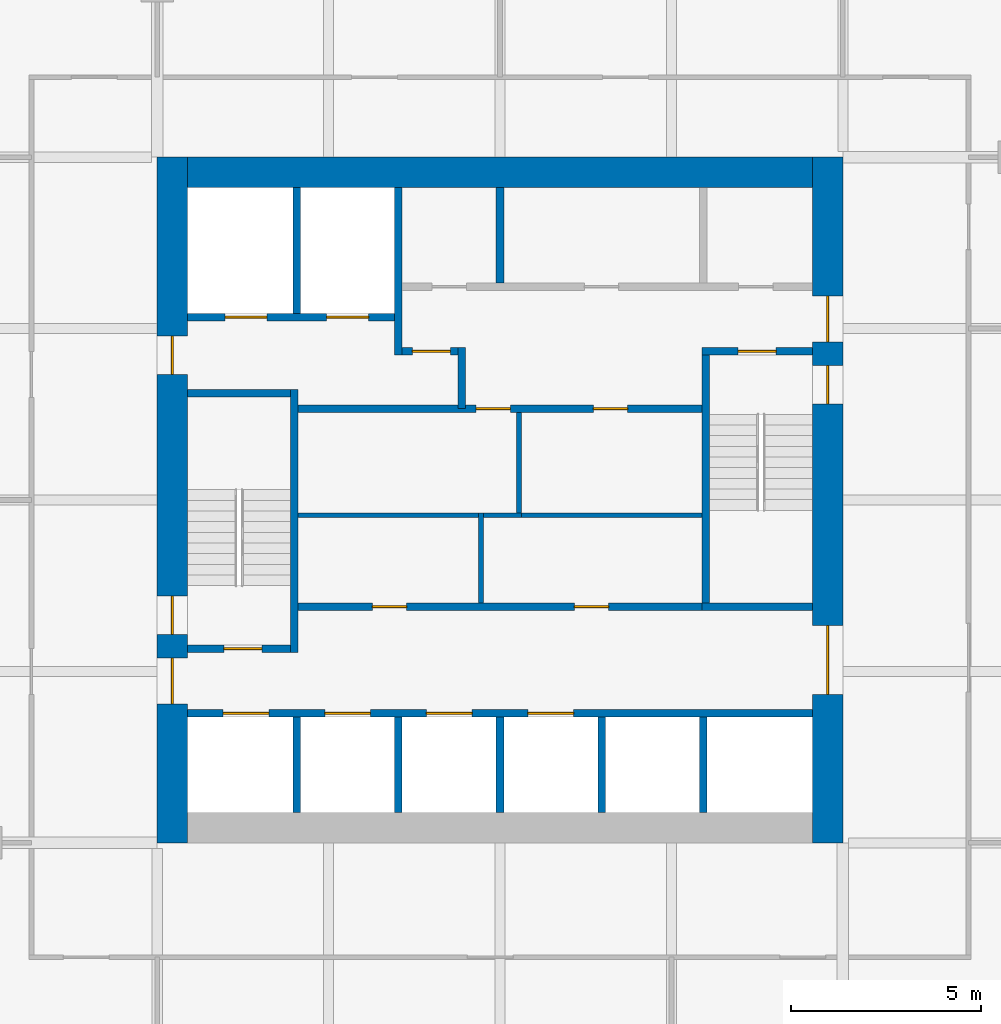
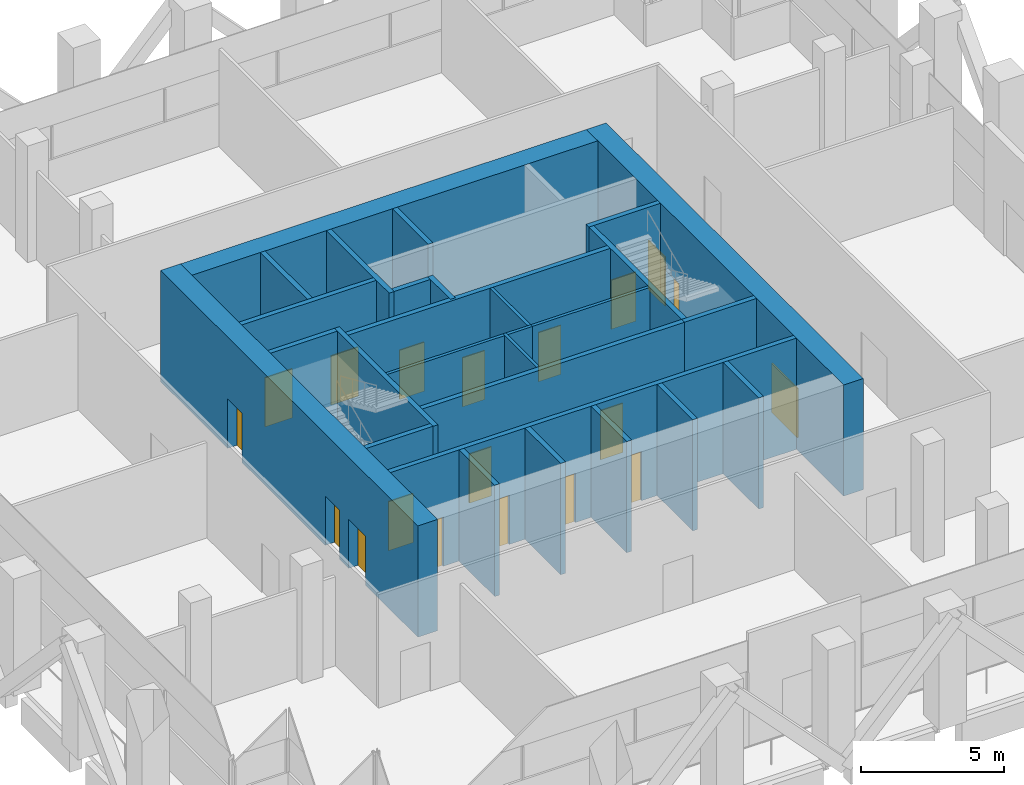
# One storey, part 37 of 44: 28 walls, 19 doors, 19 openings.
"""IFC4 building model written with IfcOpenShell, lengths in metres."""

from ifc_helpers import new_model, si_unit, direction, frame, frame_2d, origin, place, context, subcontext, project, spatial, rectangle, extrude, material, layer, layer_set, type_object, element, fill, save


model = new_model("IFC4")

# Units and contexts
model_context = context("Model", 3, precision=1e-05, world=origin(), true_north=direction((0.0, 1.0)))
body_context = subcontext(model_context, "Body", "Model", "MODEL_VIEW")
ifc_project = project(units=[si_unit("LENGTHUNIT", "METRE"), si_unit("AREAUNIT", "SQUARE_METRE"), si_unit("VOLUMEUNIT", "CUBIC_METRE"), si_unit("PLANEANGLEUNIT", "RADIAN"), si_unit("MASSUNIT", "GRAM", prefix="KILO")], contexts=[model_context])

# Site, building, storey
site_placement = place(None, origin())
site = spatial("IfcSite", under=ifc_project, at=site_placement, CompositionType="ELEMENT")
building_placement = place(site_placement, origin())
building = spatial("IfcBuilding", under=site, at=building_placement, Name="Altepetl Exchange Towers", CompositionType="ELEMENT")
storey_placement = place(building_placement, frame((0.0, 0.0, 87.0)))
storey = spatial("IfcBuildingStorey", under=building, at=storey_placement, Name="L21 Refuge", CompositionType="ELEMENT", Elevation=87.0)

# Wall, openings, doors
ifc_material_1 = material(Name="Concrete C70/85", Category="concrete")
ifc_layer_1 = layer(ifc_material_1, 0.800048828125)
ifc_layer_set_1 = layer_set([ifc_layer_1], Name="Concrete C70/85")
wall_type_1 = type_object("IfcWallType", Name="Core wall 800 reinforced concrete", PredefinedType="SHEAR", material=ifc_layer_set_1)
wall_1_placement = place(storey_placement, frame((58.10009765625, 40.5, 0.0), z_axis=(0.0, 0.0, 1.0), x_axis=(0.0, 1.0, 0.0)))
wall_1 = element("IfcWall", 1, at=wall_1_placement, inside=storey, type_object=wall_type_1, Name="wall:A:L21:K-coreE", PredefinedType="SHEAR", context=body_context, shape_type="SweptSolid", body=[
    extrude(rectangle(XDim=18.0, YDim=0.800048828125, at=frame_2d((9.0, 0.0))), origin(), (0.0, 0.0, 1.0), 4.75),
])
opening_1_placement = place(wall_1_placement, frame((13.14990234375, 0.0, 0.0)))
opening_1 = element("IfcOpeningElement", 2, at=opening_1_placement, cuts=wall_1, Name="Opening L21.A60", PredefinedType="OPENING", context=body_context, shape_type="SweptSolid", body=[
    extrude(rectangle(XDim=1.199951171875, YDim=2.10009765625, at=frame_2d((0.60009765625, 1.050048828125))), frame((0.0, 0.41015625, 0.0), z_axis=(0.0, -1.0, 0.0), x_axis=(1.0, 0.0, 0.0)), (0.0, 0.0, 1.0), 0.820068359375),
])
opening_2_placement = place(wall_1_placement, frame((3.89990234375, 0.0, 0.0)))
opening_2 = element("IfcOpeningElement", 3, at=opening_2_placement, cuts=wall_1, Name="Opening L21.A61", PredefinedType="OPENING", context=body_context, shape_type="SweptSolid", body=[
    extrude(rectangle(XDim=1.800048828125, YDim=2.10009765625, at=frame_2d((0.89990234375, 1.050048828125))), frame((0.0, 0.41015625, 0.0), z_axis=(0.0, -1.0, 0.0), x_axis=(1.0, 0.0, 0.0)), (0.0, 0.0, 1.0), 0.820068359375),
])
opening_3_placement = place(wall_1_placement, frame((11.52490234375, 0.0, 0.0)))
opening_3 = element("IfcOpeningElement", 4, at=opening_3_placement, cuts=wall_1, Name="Opening L21.A66", PredefinedType="OPENING", context=body_context, shape_type="SweptSolid", body=[
    extrude(rectangle(XDim=1.0, YDim=2.10009765625, at=frame_2d((0.5, 1.050048828125))), frame((0.0, 0.41015625, 0.0), z_axis=(0.0, -1.0, 0.0), x_axis=(1.0, 0.0, 0.0)), (0.0, 0.0, 1.0), 0.820068359375),
])
ifc_material_2 = material(Name="Steel and timber fire door", Category="steel")
door_type_1 = type_object("IfcDoorType", Name="Fire door 1000 x 2100 stair and lobby", OperationType="SINGLE_SWING_LEFT", PredefinedType="DOOR", material=ifc_material_2)
door_1_placement = place(opening_3_placement, origin())
door_1 = element("IfcDoor", 5, at=door_1_placement, inside=storey, type_object=door_type_1, Name="door:A:L21:K-dS2x", OperationType="SINGLE_SWING_RIGHT", OverallHeight=2.10009765625, OverallWidth=1.0, PredefinedType="DOOR", context=body_context, shape_type="SweptSolid", body=[
    extrude(rectangle(XDim=1.0, YDim=2.10009765625, at=frame_2d((0.5, 1.050048828125))), frame((0.0, 0.02490234375, 0.0), z_axis=(0.0, -1.0, 0.0), x_axis=(1.0, 0.0, 0.0)), (0.0, 0.0, 1.0), 0.050048828125),
])
fill(opening_3, door_1)
door_type_2 = type_object("IfcDoorType", Name="Fire door 1200 x 2100 lobby entry", OperationType="SINGLE_SWING_LEFT", PredefinedType="DOOR", material=ifc_material_2)
door_2_placement = place(opening_1_placement, origin())
door_2 = element("IfcDoor", 6, at=door_2_placement, inside=storey, type_object=door_type_2, Name="door:A:L21:K-dLNE", OperationType="SINGLE_SWING_RIGHT", OverallHeight=2.10009765625, OverallWidth=1.199951171875, PredefinedType="DOOR", context=body_context, shape_type="SweptSolid", body=[
    extrude(rectangle(XDim=1.199951171875, YDim=2.10009765625, at=frame_2d((0.60009765625, 1.050048828125))), frame((0.0, 0.02490234375, 0.0), z_axis=(0.0, -1.0, 0.0), x_axis=(1.0, 0.0, 0.0)), (0.0, 0.0, 1.0), 0.050048828125),
])
fill(opening_1, door_2)
door_type_3 = type_object("IfcDoorType", Name="Fire door 1800 x 2100 lobby entry", OperationType="DOUBLE_DOOR_SINGLE_SWING", PredefinedType="DOOR", material=ifc_material_2)
door_3_placement = place(opening_2_placement, origin())
door_3 = element("IfcDoor", 7, at=door_3_placement, inside=storey, type_object=door_type_3, Name="door:A:L21:K-dLSE", OperationType="DOUBLE_DOOR_SINGLE_SWING", OverallHeight=2.10009765625, OverallWidth=1.800048828125, PredefinedType="DOOR", context=body_context, shape_type="SweptSolid", body=[
    extrude(rectangle(XDim=1.800048828125, YDim=2.10009765625, at=frame_2d((0.89990234375, 1.050048828125))), frame((0.0, 0.02490234375, 0.0), z_axis=(0.0, -1.0, 0.0), x_axis=(1.0, 0.0, 0.0)), (0.0, 0.0, 1.0), 0.050048828125),
])
fill(opening_2, door_3)

# Wall
wall_2_placement = place(storey_placement, frame((41.300048828125, 58.10009765625, 0.0)))
element("IfcWall", 8, at=wall_2_placement, inside=storey, type_object=wall_type_1, Name="wall:A:L21:K-coreN", PredefinedType="SHEAR", context=body_context, shape_type="SweptSolid", body=[
    extrude(rectangle(XDim=16.39990234375, YDim=0.800048828125, at=frame_2d((8.199951171875, 0.0))), origin(), (0.0, 0.0, 1.0), 4.75),
])

# Wall, openings, doors
wall_3_placement = place(storey_placement, frame((40.89990234375, 40.5, 0.0), z_axis=(0.0, 0.0, 1.0), x_axis=(0.0, 1.0, 0.0)))
wall_3 = element("IfcWall", 9, at=wall_3_placement, inside=storey, type_object=wall_type_1, Name="wall:A:L21:K-coreW", PredefinedType="SHEAR", context=body_context, shape_type="SweptSolid", body=[
    extrude(rectangle(XDim=18.0, YDim=0.800048828125, at=frame_2d((9.0, 0.0))), origin(), (0.0, 0.0, 1.0), 4.75),
])
opening_4_placement = place(wall_3_placement, frame((3.64990234375, 0.0, 0.0)))
opening_4 = element("IfcOpeningElement", 10, at=opening_4_placement, cuts=wall_3, Name="Opening L21.A62", PredefinedType="OPENING", context=body_context, shape_type="SweptSolid", body=[
    extrude(rectangle(XDim=1.199951171875, YDim=2.10009765625, at=frame_2d((0.60009765625, 1.050048828125))), frame((0.0, 0.41015625, 0.0), z_axis=(0.0, -1.0, 0.0), x_axis=(1.0, 0.0, 0.0)), (0.0, 0.0, 1.0), 0.820068359375),
])
opening_5_placement = place(wall_3_placement, frame((5.47509765625, 0.0, 0.0)))
opening_5 = element("IfcOpeningElement", 11, at=opening_5_placement, cuts=wall_3, Name="Opening L21.A64", PredefinedType="OPENING", context=body_context, shape_type="SweptSolid", body=[
    extrude(rectangle(XDim=1.0, YDim=2.10009765625, at=frame_2d((0.5, 1.050048828125))), frame((0.0, 0.41015625, 0.0), z_axis=(0.0, -1.0, 0.0), x_axis=(1.0, 0.0, 0.0)), (0.0, 0.0, 1.0), 0.820068359375),
])
opening_6_placement = place(wall_3_placement, frame((12.300048828125, 0.0, 0.0)))
opening_6 = element("IfcOpeningElement", 12, at=opening_6_placement, cuts=wall_3, Name="Opening L21.A68", PredefinedType="OPENING", context=body_context, shape_type="SweptSolid", body=[
    extrude(rectangle(XDim=1.0, YDim=2.10009765625, at=frame_2d((0.5, 1.050048828125))), frame((0.0, 0.41015625, 0.0), z_axis=(0.0, -1.0, 0.0), x_axis=(1.0, 0.0, 0.0)), (0.0, 0.0, 1.0), 0.820068359375),
])
door_4_placement = place(opening_5_placement, frame((1.0, 0.0, 0.0), x_axis=(-1.0, 0.0, 0.0)))
door_4 = element("IfcDoor", 13, at=door_4_placement, inside=storey, type_object=door_type_1, Name="door:A:L21:K-dS1x", OperationType="SINGLE_SWING_RIGHT", OverallHeight=2.10009765625, OverallWidth=1.0, PredefinedType="DOOR", context=body_context, shape_type="SweptSolid", body=[
    extrude(rectangle(XDim=1.0, YDim=2.10009765625, at=frame_2d((0.5, 1.050048828125))), frame((0.0, 0.02490234375, 0.0), z_axis=(0.0, -1.0, 0.0), x_axis=(1.0, 0.0, 0.0)), (0.0, 0.0, 1.0), 0.050048828125),
])
fill(opening_5, door_4)
door_5_placement = place(opening_6_placement, frame((1.0, 0.0, 0.0), x_axis=(-1.0, 0.0, 0.0)))
door_5 = element("IfcDoor", 14, at=door_5_placement, inside=storey, type_object=door_type_1, Name="door:A:L21:K-dffW", OperationType="SINGLE_SWING_LEFT", OverallHeight=2.10009765625, OverallWidth=1.0, PredefinedType="DOOR", context=body_context, shape_type="SweptSolid", body=[
    extrude(rectangle(XDim=1.0, YDim=2.10009765625, at=frame_2d((0.5, 1.050048828125))), frame((0.0, 0.02490234375, 0.0), z_axis=(0.0, -1.0, 0.0), x_axis=(1.0, 0.0, 0.0)), (0.0, 0.0, 1.0), 0.050048828125),
])
fill(opening_6, door_5)
door_6_placement = place(opening_4_placement, frame((1.199951171875, 0.0, 0.0), x_axis=(-1.0, 0.0, 0.0)))
door_6 = element("IfcDoor", 15, at=door_6_placement, inside=storey, type_object=door_type_2, Name="door:A:L21:K-dLSW", OperationType="SINGLE_SWING_LEFT", OverallHeight=2.10009765625, OverallWidth=1.199951171875, PredefinedType="DOOR", context=body_context, shape_type="SweptSolid", body=[
    extrude(rectangle(XDim=1.199951171875, YDim=2.10009765625, at=frame_2d((0.60009765625, 1.050048828125))), frame((0.0, 0.02490234375, 0.0), z_axis=(0.0, -1.0, 0.0), x_axis=(1.0, 0.0, 0.0)), (0.0, 0.0, 1.0), 0.050048828125),
])
fill(opening_4, door_6)

# Wall
ifc_material_3 = material(Name="Concrete blockwork", Category="masonry")
ifc_layer_2 = layer(ifc_material_3, 0.199951171875)
ifc_layer_set_2 = layer_set([ifc_layer_2], Name="Concrete blockwork")
wall_type_2 = type_object("IfcWallType", Name="Lobby wall 200 blockwork", PredefinedType="PARTITIONING", material=ifc_layer_set_2)
wall_4_placement = place(storey_placement, frame((48.5, 51.89990234375, 0.0), z_axis=(0.0, 0.0, 1.0), x_axis=(0.0, 1.0, 0.0)))
element("IfcWall", 16, at=wall_4_placement, inside=storey, type_object=wall_type_2, Name="wall:A:L21:K-ffE", PredefinedType="PARTITIONING", context=body_context, shape_type="SweptSolid", body=[
    extrude(rectangle(XDim=1.60009765625, YDim=0.199951171875, at=frame_2d((0.800048828125, 0.0))), origin(), (0.0, 0.0, 1.0), 4.75),
])

# Wall, opening, door
wall_5_placement = place(storey_placement, frame((46.933349609375, 53.39990234375, 0.0)))
wall_5 = element("IfcWall", 17, at=wall_5_placement, inside=storey, type_object=wall_type_2, Name="wall:A:L21:K-ffN", PredefinedType="PARTITIONING", context=body_context, shape_type="SweptSolid", body=[
    extrude(rectangle(XDim=1.466552734375, YDim=0.199951171875, at=frame_2d((0.7333984375, 0.0))), origin(), (0.0, 0.0, 1.0), 4.75),
])
opening_7_placement = place(wall_5_placement, frame((0.2666015625, 0.0, 0.0)))
opening_7 = element("IfcOpeningElement", 18, at=opening_7_placement, cuts=wall_5, Name="Opening L21.A67", PredefinedType="OPENING", context=body_context, shape_type="SweptSolid", body=[
    extrude(rectangle(XDim=1.0, YDim=2.10009765625, at=frame_2d((0.5, 1.050048828125))), frame((0.0, 0.10986328125, 0.0), z_axis=(0.0, -1.0, 0.0), x_axis=(1.0, 0.0, 0.0)), (0.0, 0.0, 1.0), 0.219970703125),
])
door_7_placement = place(opening_7_placement, frame((1.0, 0.0, 0.0), x_axis=(-1.0, 0.0, 0.0)))
door_7 = element("IfcDoor", 19, at=door_7_placement, inside=storey, type_object=door_type_1, Name="door:A:L21:K-dffN", OperationType="SINGLE_SWING_RIGHT", OverallHeight=2.10009765625, OverallWidth=1.0, PredefinedType="DOOR", context=body_context, shape_type="SweptSolid", body=[
    extrude(rectangle(XDim=1.0, YDim=2.10009765625, at=frame_2d((0.5, 1.050048828125))), frame((0.0, 0.02490234375, 0.0), z_axis=(0.0, -1.0, 0.0), x_axis=(1.0, 0.0, 0.0)), (0.0, 0.0, 1.0), 0.050048828125),
])
fill(opening_7, door_7)

# Wall, openings, doors
wall_6_placement = place(storey_placement, frame((44.199951171875, 51.89990234375, 0.0)))
wall_6 = element("IfcWall", 20, at=wall_6_placement, inside=storey, type_object=wall_type_2, Name="wall:A:L21:K-zoneN", PredefinedType="PARTITIONING", context=body_context, shape_type="SweptSolid", body=[
    extrude(rectangle(XDim=10.60009765625, YDim=0.199951171875, at=frame_2d((5.300048828125, 0.0))), origin(), (0.0, 0.0, 1.0), 4.75),
])
opening_8_placement = place(wall_6_placement, frame((4.675048828125, 0.0, 0.0)))
opening_8 = element("IfcOpeningElement", 21, at=opening_8_placement, cuts=wall_6, Name="Opening L21.A74", PredefinedType="OPENING", context=body_context, shape_type="SweptSolid", body=[
    extrude(rectangle(XDim=0.89990234375, YDim=2.10009765625, at=frame_2d((0.449951171875, 1.050048828125))), frame((0.0, 0.10986328125, 0.0), z_axis=(0.0, -1.0, 0.0), x_axis=(1.0, 0.0, 0.0)), (0.0, 0.0, 1.0), 0.219970703125),
])
opening_9_placement = place(wall_6_placement, frame((7.75, 0.0, 0.0)))
opening_9 = element("IfcOpeningElement", 22, at=opening_9_placement, cuts=wall_6, Name="Opening L21.A75", PredefinedType="OPENING", context=body_context, shape_type="SweptSolid", body=[
    extrude(rectangle(XDim=0.89990234375, YDim=2.10009765625, at=frame_2d((0.449951171875, 1.050048828125))), frame((0.0, 0.10986328125, 0.0), z_axis=(0.0, -1.0, 0.0), x_axis=(1.0, 0.0, 0.0)), (0.0, 0.0, 1.0), 0.219970703125),
])
door_type_4 = type_object("IfcDoorType", Name="Fire door 900 x 2100 service room", OperationType="SINGLE_SWING_LEFT", PredefinedType="DOOR", material=ifc_material_2)
door_8_placement = place(opening_8_placement, frame((0.89990234375, 0.0, 0.0), x_axis=(-1.0, 0.0, 0.0)))
door_8 = element("IfcDoor", 23, at=door_8_placement, inside=storey, type_object=door_type_4, Name="door:A:L21:K-dz3", OperationType="SINGLE_SWING_LEFT", OverallHeight=2.10009765625, OverallWidth=0.89990234375, PredefinedType="DOOR", context=body_context, shape_type="SweptSolid", body=[
    extrude(rectangle(XDim=0.89990234375, YDim=2.10009765625, at=frame_2d((0.449951171875, 1.050048828125))), frame((0.0, 0.02490234375, 0.0), z_axis=(0.0, -1.0, 0.0), x_axis=(1.0, 0.0, 0.0)), (0.0, 0.0, 1.0), 0.050048828125),
])
fill(opening_8, door_8)
door_9_placement = place(opening_9_placement, frame((0.89990234375, 0.0, 0.0), x_axis=(-1.0, 0.0, 0.0)))
door_9 = element("IfcDoor", 24, at=door_9_placement, inside=storey, type_object=door_type_4, Name="door:A:L21:K-dz4", OperationType="SINGLE_SWING_LEFT", OverallHeight=2.10009765625, OverallWidth=0.89990234375, PredefinedType="DOOR", context=body_context, shape_type="SweptSolid", body=[
    extrude(rectangle(XDim=0.89990234375, YDim=2.10009765625, at=frame_2d((0.449951171875, 1.050048828125))), frame((0.0, 0.02490234375, 0.0), z_axis=(0.0, -1.0, 0.0), x_axis=(1.0, 0.0, 0.0)), (0.0, 0.0, 1.0), 0.050048828125),
])
fill(opening_9, door_9)

wall_7_placement = place(storey_placement, frame((44.199951171875, 46.699951171875, 0.0)))
wall_7 = element("IfcWall", 25, at=wall_7_placement, inside=storey, type_object=wall_type_2, Name="wall:A:L21:K-zoneS", PredefinedType="PARTITIONING", context=body_context, shape_type="SweptSolid", body=[
    extrude(rectangle(XDim=10.60009765625, YDim=0.199951171875, at=frame_2d((5.300048828125, 0.0))), origin(), (0.0, 0.0, 1.0), 4.75),
])
opening_10_placement = place(wall_7_placement, frame((1.949951171875, 0.0, 0.0)))
opening_10 = element("IfcOpeningElement", 26, at=opening_10_placement, cuts=wall_7, Name="Opening L21.A72", PredefinedType="OPENING", context=body_context, shape_type="SweptSolid", body=[
    extrude(rectangle(XDim=0.89990234375, YDim=2.10009765625, at=frame_2d((0.449951171875, 1.050048828125))), frame((0.0, 0.10986328125, 0.0), z_axis=(0.0, -1.0, 0.0), x_axis=(1.0, 0.0, 0.0)), (0.0, 0.0, 1.0), 0.219970703125),
])
opening_11_placement = place(wall_7_placement, frame((7.25, 0.0, 0.0)))
opening_11 = element("IfcOpeningElement", 27, at=opening_11_placement, cuts=wall_7, Name="Opening L21.A73", PredefinedType="OPENING", context=body_context, shape_type="SweptSolid", body=[
    extrude(rectangle(XDim=0.89990234375, YDim=2.10009765625, at=frame_2d((0.449951171875, 1.050048828125))), frame((0.0, 0.10986328125, 0.0), z_axis=(0.0, -1.0, 0.0), x_axis=(1.0, 0.0, 0.0)), (0.0, 0.0, 1.0), 0.219970703125),
])
door_10_placement = place(opening_10_placement, origin())
door_10 = element("IfcDoor", 28, at=door_10_placement, inside=storey, type_object=door_type_4, Name="door:A:L21:K-dz1", OperationType="SINGLE_SWING_LEFT", OverallHeight=2.10009765625, OverallWidth=0.89990234375, PredefinedType="DOOR", context=body_context, shape_type="SweptSolid", body=[
    extrude(rectangle(XDim=0.89990234375, YDim=2.10009765625, at=frame_2d((0.449951171875, 1.050048828125))), frame((0.0, 0.02490234375, 0.0), z_axis=(0.0, -1.0, 0.0), x_axis=(1.0, 0.0, 0.0)), (0.0, 0.0, 1.0), 0.050048828125),
])
fill(opening_10, door_10)
door_11_placement = place(opening_11_placement, origin())
door_11 = element("IfcDoor", 29, at=door_11_placement, inside=storey, type_object=door_type_4, Name="door:A:L21:K-dz2", OperationType="SINGLE_SWING_RIGHT", OverallHeight=2.10009765625, OverallWidth=0.89990234375, PredefinedType="DOOR", context=body_context, shape_type="SweptSolid", body=[
    extrude(rectangle(XDim=0.89990234375, YDim=2.10009765625, at=frame_2d((0.449951171875, 1.050048828125))), frame((0.0, 0.02490234375, 0.0), z_axis=(0.0, -1.0, 0.0), x_axis=(1.0, 0.0, 0.0)), (0.0, 0.0, 1.0), 0.050048828125),
])
fill(opening_11, door_11)

# Walls
ifc_material_4 = material(Name="Gypsum board on steel studs", Category="steel")
ifc_layer_3 = layer(ifc_material_4, 0.125)
ifc_layer_set_3 = layer_set([ifc_layer_3], Name="Gypsum board on steel studs")
wall_type_3 = type_object("IfcWallType", Name="Partition 125 gypsum board on steel studs", PredefinedType="PARTITIONING", material=ifc_layer_set_3)
wall_8_placement = place(storey_placement, frame((49.0, 46.800048828125, 0.0), z_axis=(0.0, 0.0, 1.0), x_axis=(0.0, 1.0, 0.0)))
element("IfcWall", 30, at=wall_8_placement, inside=storey, type_object=wall_type_3, Name="wall:A:L21:K-zp1", PredefinedType="PARTITIONING", context=body_context, shape_type="SweptSolid", body=[
    extrude(rectangle(XDim=2.362548828125, YDim=0.125, at=frame_2d((1.18115234375, 0.0))), origin(), (0.0, 0.0, 1.0), 4.75),
])
wall_9_placement = place(storey_placement, frame((49.0, 49.10009765625, 0.0), z_axis=(0.0, 0.0, 1.0), x_axis=(-1.0, 0.0, 0.0)))
element("IfcWall", 31, at=wall_9_placement, inside=storey, type_object=wall_type_3, Name="wall:A:L21:K-zp2", PredefinedType="PARTITIONING", context=body_context, shape_type="SweptSolid", body=[
    extrude(rectangle(XDim=4.800048828125, YDim=0.125, at=frame_2d((2.39990234375, 0.0))), origin(), (0.0, 0.0, 1.0), 4.75),
])
wall_10_placement = place(storey_placement, frame((50.0625, 49.10009765625, 0.0), z_axis=(0.0, 0.0, 1.0), x_axis=(-1.0, 0.0, 0.0)))
element("IfcWall", 32, at=wall_10_placement, inside=storey, type_object=wall_type_3, Name="wall:A:L21:K-zp3", PredefinedType="PARTITIONING", context=body_context, shape_type="SweptSolid", body=[
    extrude(rectangle(XDim=1.0, YDim=0.125, at=frame_2d((0.5, 0.0))), origin(), (0.0, 0.0, 1.0), 4.75),
])
wall_11_placement = place(storey_placement, frame((54.800048828125, 49.10009765625, 0.0), z_axis=(0.0, 0.0, 1.0), x_axis=(-1.0, 0.0, 0.0)))
element("IfcWall", 33, at=wall_11_placement, inside=storey, type_object=wall_type_3, Name="wall:A:L21:K-zp4", PredefinedType="PARTITIONING", context=body_context, shape_type="SweptSolid", body=[
    extrude(rectangle(XDim=4.800048828125, YDim=0.125, at=frame_2d((2.39990234375, 0.0))), origin(), (0.0, 0.0, 1.0), 4.75),
])
wall_12_placement = place(storey_placement, frame((50.0, 49.16259765625, 0.0), z_axis=(0.0, 0.0, 1.0), x_axis=(0.0, 1.0, 0.0)))
element("IfcWall", 34, at=wall_12_placement, inside=storey, type_object=wall_type_3, Name="wall:A:L21:K-zp5", PredefinedType="PARTITIONING", context=body_context, shape_type="SweptSolid", body=[
    extrude(rectangle(XDim=2.637451171875, YDim=0.125, at=frame_2d((1.31884765625, 0.0))), origin(), (0.0, 0.0, 1.0), 4.75),
])
ifc_material_5 = material(Name="Concrete C40/50", Category="concrete")
ifc_layer_4 = layer(ifc_material_5, 0.199951171875)
ifc_layer_set_4 = layer_set([ifc_layer_4], Name="Concrete C40/50")
wall_type_4 = type_object("IfcWallType", Name="Shaft wall 200 reinforced concrete", PredefinedType="SHEAR", material=ifc_layer_set_4)
wall_13_placement = place(storey_placement, frame((44.166748046875, 57.699951171875, 0.0), z_axis=(0.0, 0.0, 1.0), x_axis=(0.0, -1.0, 0.0)))
element("IfcWall", 35, at=wall_13_placement, inside=storey, type_object=wall_type_4, Name="wall:A:L21:K-divN1", PredefinedType="SHEAR", context=body_context, shape_type="SweptSolid", body=[
    extrude(rectangle(XDim=3.300048828125, YDim=0.199951171875, at=frame_2d((1.64990234375, 0.0))), origin(), (0.0, 0.0, 1.0), 4.75),
])
wall_14_placement = place(storey_placement, frame((46.833251953125, 57.699951171875, 0.0), z_axis=(0.0, 0.0, 1.0), x_axis=(0.0, -1.0, 0.0)))
element("IfcWall", 36, at=wall_14_placement, inside=storey, type_object=wall_type_4, Name="wall:A:L21:K-divN2", PredefinedType="SHEAR", context=body_context, shape_type="SweptSolid", body=[
    extrude(rectangle(XDim=4.39990234375, YDim=0.199951171875, at=frame_2d((2.199951171875, 0.0))), origin(), (0.0, 0.0, 1.0), 4.75),
])
for number, where, z_axis, x_axis, name in (
    (37, (49.5, 57.699951171875, 0.0), (0.0, 0.0, 1.0), (0.0, -1.0, 0.0), "wall:A:L21:K-divN3"),
    (38, (44.166748046875, 41.300048828125, 0.0), (0.0, 0.0, 1.0), (0.0, 1.0, 0.0), "wall:A:L21:K-divS1"),
    (39, (46.833251953125, 41.300048828125, 0.0), (0.0, 0.0, 1.0), (0.0, 1.0, 0.0), "wall:A:L21:K-divS2"),
    (40, (49.5, 41.300048828125, 0.0), (0.0, 0.0, 1.0), (0.0, 1.0, 0.0), "wall:A:L21:K-divS3"),
    (41, (52.166748046875, 41.300048828125, 0.0), (0.0, 0.0, 1.0), (0.0, 1.0, 0.0), "wall:A:L21:K-divS4"),
    (42, (54.833251953125, 41.300048828125, 0.0), (0.0, 0.0, 1.0), (0.0, 1.0, 0.0), "wall:A:L21:K-divS5"),
):
    element("IfcWall", number, at=place(storey_placement, frame(where, z_axis=z_axis, x_axis=x_axis)), inside=storey, type_object=wall_type_4, Name=name, PredefinedType="SHEAR", context=body_context, shape_type="SweptSolid", body=[
        extrude(rectangle(XDim=2.5, YDim=0.199951171875, at=frame_2d((1.25, 0.0))), origin(), (0.0, 0.0, 1.0), 4.75),
    ])

# Wall, openings, doors
wall_15_placement = place(storey_placement, frame((41.300048828125, 54.300048828125, 0.0)))
wall_15 = element("IfcWall", 43, at=wall_15_placement, inside=storey, type_object=wall_type_4, Name="wall:A:L21:K-frontNd", PredefinedType="SHEAR", context=body_context, shape_type="SweptSolid", body=[
    extrude(rectangle(XDim=5.433349609375, YDim=0.199951171875, at=frame_2d((2.716796875, 0.0))), origin(), (0.0, 0.0, 1.0), 4.75),
])
opening_12_placement = place(wall_15_placement, frame((0.9833984375, 0.0, 0.0)))
opening_12 = element("IfcOpeningElement", 44, at=opening_12_placement, cuts=wall_15, Name="Opening L21.A76", PredefinedType="OPENING", context=body_context, shape_type="SweptSolid", body=[
    extrude(rectangle(XDim=1.10009765625, YDim=2.10009765625, at=frame_2d((0.550048828125, 1.050048828125))), frame((0.0, 0.10986328125, 0.0), z_axis=(0.0, -1.0, 0.0), x_axis=(1.0, 0.0, 0.0)), (0.0, 0.0, 1.0), 0.219970703125),
])
opening_13_placement = place(wall_15_placement, frame((3.64990234375, 0.0, 0.0)))
opening_13 = element("IfcOpeningElement", 45, at=opening_13_placement, cuts=wall_15, Name="Opening L21.A77", PredefinedType="OPENING", context=body_context, shape_type="SweptSolid", body=[
    extrude(rectangle(XDim=1.10009765625, YDim=2.10009765625, at=frame_2d((0.550048828125, 1.050048828125))), frame((0.0, 0.10986328125, 0.0), z_axis=(0.0, -1.0, 0.0), x_axis=(1.0, 0.0, 0.0)), (0.0, 0.0, 1.0), 0.219970703125),
])
ifc_material_6 = material(Name="Stainless steel", Category="steel")
door_type_5 = type_object("IfcDoorType", Name="Lift landing door 1100 x 2100", OperationType="SLIDING_TO_LEFT", PredefinedType="DOOR", material=ifc_material_6)
door_12_placement = place(opening_12_placement, origin())
door_12 = element("IfcDoor", 46, at=door_12_placement, inside=storey, type_object=door_type_5, Name="Landing door FFL1", OperationType="SLIDING_TO_LEFT", OverallHeight=2.10009765625, OverallWidth=1.10009765625, PredefinedType="DOOR", context=body_context, shape_type="SweptSolid", body=[
    extrude(rectangle(XDim=1.10009765625, YDim=2.10009765625, at=frame_2d((0.550048828125, 1.050048828125))), frame((0.0, 0.02490234375, 0.0), z_axis=(0.0, -1.0, 0.0), x_axis=(1.0, 0.0, 0.0)), (0.0, 0.0, 1.0), 0.050048828125),
])
fill(opening_12, door_12)
door_13_placement = place(opening_13_placement, origin())
door_13 = element("IfcDoor", 47, at=door_13_placement, inside=storey, type_object=door_type_5, Name="Landing door FFL2", OperationType="SLIDING_TO_LEFT", OverallHeight=2.10009765625, OverallWidth=1.10009765625, PredefinedType="DOOR", context=body_context, shape_type="SweptSolid", body=[
    extrude(rectangle(XDim=1.10009765625, YDim=2.10009765625, at=frame_2d((0.550048828125, 1.050048828125))), frame((0.0, 0.02490234375, 0.0), z_axis=(0.0, -1.0, 0.0), x_axis=(1.0, 0.0, 0.0)), (0.0, 0.0, 1.0), 0.050048828125),
])
fill(opening_13, door_13)

wall_16_placement = place(storey_placement, frame((41.300048828125, 43.89990234375, 0.0)))
wall_16 = element("IfcWall", 48, at=wall_16_placement, inside=storey, type_object=wall_type_4, Name="wall:A:L21:K-frontS", PredefinedType="SHEAR", context=body_context, shape_type="SweptSolid", body=[
    extrude(rectangle(XDim=16.39990234375, YDim=0.199951171875, at=frame_2d((8.199951171875, 0.0))), origin(), (0.0, 0.0, 1.0), 4.75),
])
opening_14_placement = place(wall_16_placement, frame((0.933349609375, 0.0, 0.0)))
opening_14 = element("IfcOpeningElement", 49, at=opening_14_placement, cuts=wall_16, Name="Opening L21.A78", PredefinedType="OPENING", context=body_context, shape_type="SweptSolid", body=[
    extrude(rectangle(XDim=1.199951171875, YDim=2.10009765625, at=frame_2d((0.60009765625, 1.050048828125))), frame((0.0, 0.10986328125, 0.0), z_axis=(0.0, -1.0, 0.0), x_axis=(1.0, 0.0, 0.0)), (0.0, 0.0, 1.0), 0.219970703125),
])
opening_15_placement = place(wall_16_placement, frame((3.60009765625, 0.0, 0.0)))
opening_15 = element("IfcOpeningElement", 50, at=opening_15_placement, cuts=wall_16, Name="Opening L21.A79", PredefinedType="OPENING", context=body_context, shape_type="SweptSolid", body=[
    extrude(rectangle(XDim=1.199951171875, YDim=2.10009765625, at=frame_2d((0.60009765625, 1.050048828125))), frame((0.0, 0.10986328125, 0.0), z_axis=(0.0, -1.0, 0.0), x_axis=(1.0, 0.0, 0.0)), (0.0, 0.0, 1.0), 0.219970703125),
])
opening_16_placement = place(wall_16_placement, frame((6.2666015625, 0.0, 0.0)))
opening_16 = element("IfcOpeningElement", 51, at=opening_16_placement, cuts=wall_16, Name="Opening L21.A80", PredefinedType="OPENING", context=body_context, shape_type="SweptSolid", body=[
    extrude(rectangle(XDim=1.199951171875, YDim=2.10009765625, at=frame_2d((0.60009765625, 1.050048828125))), frame((0.0, 0.10986328125, 0.0), z_axis=(0.0, -1.0, 0.0), x_axis=(1.0, 0.0, 0.0)), (0.0, 0.0, 1.0), 0.219970703125),
])
opening_17_placement = place(wall_16_placement, frame((8.933349609375, 0.0, 0.0)))
opening_17 = element("IfcOpeningElement", 52, at=opening_17_placement, cuts=wall_16, Name="Opening L21.A81", PredefinedType="OPENING", context=body_context, shape_type="SweptSolid", body=[
    extrude(rectangle(XDim=1.199951171875, YDim=2.10009765625, at=frame_2d((0.60009765625, 1.050048828125))), frame((0.0, 0.10986328125, 0.0), z_axis=(0.0, -1.0, 0.0), x_axis=(1.0, 0.0, 0.0)), (0.0, 0.0, 1.0), 0.219970703125),
])
door_type_6 = type_object("IfcDoorType", Name="Lift landing door 1200 x 2100", OperationType="SLIDING_TO_LEFT", PredefinedType="DOOR", material=ifc_material_6)
door_14_placement = place(opening_14_placement, origin())
door_14 = element("IfcDoor", 53, at=door_14_placement, inside=storey, type_object=door_type_6, Name="Landing door P1", OperationType="SLIDING_TO_LEFT", OverallHeight=2.10009765625, OverallWidth=1.199951171875, PredefinedType="DOOR", context=body_context, shape_type="SweptSolid", body=[
    extrude(rectangle(XDim=1.199951171875, YDim=2.10009765625, at=frame_2d((0.60009765625, 1.050048828125))), frame((0.0, 0.02490234375, 0.0), z_axis=(0.0, -1.0, 0.0), x_axis=(1.0, 0.0, 0.0)), (0.0, 0.0, 1.0), 0.050048828125),
])
fill(opening_14, door_14)
door_15_placement = place(opening_15_placement, origin())
door_15 = element("IfcDoor", 54, at=door_15_placement, inside=storey, type_object=door_type_6, Name="Landing door P2", OperationType="SLIDING_TO_LEFT", OverallHeight=2.10009765625, OverallWidth=1.199951171875, PredefinedType="DOOR", context=body_context, shape_type="SweptSolid", body=[
    extrude(rectangle(XDim=1.199951171875, YDim=2.10009765625, at=frame_2d((0.60009765625, 1.050048828125))), frame((0.0, 0.02490234375, 0.0), z_axis=(0.0, -1.0, 0.0), x_axis=(1.0, 0.0, 0.0)), (0.0, 0.0, 1.0), 0.050048828125),
])
fill(opening_15, door_15)
door_16_placement = place(opening_16_placement, origin())
door_16 = element("IfcDoor", 55, at=door_16_placement, inside=storey, type_object=door_type_6, Name="Landing door P3", OperationType="SLIDING_TO_LEFT", OverallHeight=2.10009765625, OverallWidth=1.199951171875, PredefinedType="DOOR", context=body_context, shape_type="SweptSolid", body=[
    extrude(rectangle(XDim=1.199951171875, YDim=2.10009765625, at=frame_2d((0.60009765625, 1.050048828125))), frame((0.0, 0.02490234375, 0.0), z_axis=(0.0, -1.0, 0.0), x_axis=(1.0, 0.0, 0.0)), (0.0, 0.0, 1.0), 0.050048828125),
])
fill(opening_16, door_16)
door_17_placement = place(opening_17_placement, origin())
door_17 = element("IfcDoor", 56, at=door_17_placement, inside=storey, type_object=door_type_6, Name="Landing door P4", OperationType="SLIDING_TO_LEFT", OverallHeight=2.10009765625, OverallWidth=1.199951171875, PredefinedType="DOOR", context=body_context, shape_type="SweptSolid", body=[
    extrude(rectangle(XDim=1.199951171875, YDim=2.10009765625, at=frame_2d((0.60009765625, 1.050048828125))), frame((0.0, 0.02490234375, 0.0), z_axis=(0.0, -1.0, 0.0), x_axis=(1.0, 0.0, 0.0)), (0.0, 0.0, 1.0), 0.050048828125),
])
fill(opening_17, door_17)

# Walls
ifc_layer_5 = layer(ifc_material_5, 0.199951171875)
ifc_layer_set_5 = layer_set([ifc_layer_5], Name="Concrete C40/50")
wall_type_5 = type_object("IfcWallType", Name="Stair wall 200 reinforced concrete", PredefinedType="SHEAR", material=ifc_layer_set_5)
wall_17_placement = place(storey_placement, frame((44.10009765625, 45.5, 0.0), z_axis=(0.0, 0.0, 1.0), x_axis=(0.0, 1.0, 0.0)))
element("IfcWall", 57, at=wall_17_placement, inside=storey, type_object=wall_type_5, Name="wall:A:L21:K-stS1E", PredefinedType="SHEAR", context=body_context, shape_type="SweptSolid", body=[
    extrude(rectangle(XDim=6.89990234375, YDim=0.199951171875, at=frame_2d((3.449951171875, 0.0))), origin(), (0.0, 0.0, 1.0), 4.75),
])
wall_18_placement = place(storey_placement, frame((41.300048828125, 52.300048828125, 0.0)))
element("IfcWall", 58, at=wall_18_placement, inside=storey, type_object=wall_type_5, Name="wall:A:L21:K-stS1N", PredefinedType="SHEAR", context=body_context, shape_type="SweptSolid", body=[
    extrude(rectangle(XDim=2.699951171875, YDim=0.199951171875, at=frame_2d((1.35009765625, 0.0))), origin(), (0.0, 0.0, 1.0), 4.75),
])

# Wall, opening, door
wall_19_placement = place(storey_placement, frame((41.300048828125, 45.60009765625, 0.0)))
wall_19 = element("IfcWall", 59, at=wall_19_placement, inside=storey, type_object=wall_type_5, Name="wall:A:L21:K-stS1S", PredefinedType="SHEAR", context=body_context, shape_type="SweptSolid", body=[
    extrude(rectangle(XDim=2.699951171875, YDim=0.199951171875, at=frame_2d((1.35009765625, 0.0))), origin(), (0.0, 0.0, 1.0), 4.75),
])
opening_18_placement = place(wall_19_placement, frame((0.949951171875, 0.0, 0.0)))
opening_18 = element("IfcOpeningElement", 60, at=opening_18_placement, cuts=wall_19, Name="Opening L21.A63", PredefinedType="OPENING", context=body_context, shape_type="SweptSolid", body=[
    extrude(rectangle(XDim=1.0, YDim=2.10009765625, at=frame_2d((0.5, 1.050048828125))), frame((0.0, 0.10986328125, 0.0), z_axis=(0.0, -1.0, 0.0), x_axis=(1.0, 0.0, 0.0)), (0.0, 0.0, 1.0), 0.219970703125),
])
door_18_placement = place(opening_18_placement, origin())
door_18 = element("IfcDoor", 61, at=door_18_placement, inside=storey, type_object=door_type_1, Name="door:A:L21:K-dS1in", OperationType="SINGLE_SWING_RIGHT", OverallHeight=2.10009765625, OverallWidth=1.0, PredefinedType="DOOR", context=body_context, shape_type="SweptSolid", body=[
    extrude(rectangle(XDim=1.0, YDim=2.10009765625, at=frame_2d((0.5, 1.050048828125))), frame((0.0, 0.02490234375, 0.0), z_axis=(0.0, -1.0, 0.0), x_axis=(1.0, 0.0, 0.0)), (0.0, 0.0, 1.0), 0.050048828125),
])
fill(opening_18, door_18)

wall_20_placement = place(storey_placement, frame((54.800048828125, 53.39990234375, 0.0)))
wall_20 = element("IfcWall", 62, at=wall_20_placement, inside=storey, type_object=wall_type_5, Name="wall:A:L21:K-stS2N", PredefinedType="SHEAR", context=body_context, shape_type="SweptSolid", body=[
    extrude(rectangle(XDim=2.89990234375, YDim=0.199951171875, at=frame_2d((1.449951171875, 0.0))), origin(), (0.0, 0.0, 1.0), 4.75),
])
opening_19_placement = place(wall_20_placement, frame((0.949951171875, 0.0, 0.0)))
opening_19 = element("IfcOpeningElement", 63, at=opening_19_placement, cuts=wall_20, Name="Opening L21.A65", PredefinedType="OPENING", context=body_context, shape_type="SweptSolid", body=[
    extrude(rectangle(XDim=1.0, YDim=2.10009765625, at=frame_2d((0.5, 1.050048828125))), frame((0.0, 0.10986328125, 0.0), z_axis=(0.0, -1.0, 0.0), x_axis=(1.0, 0.0, 0.0)), (0.0, 0.0, 1.0), 0.219970703125),
])
door_19_placement = place(opening_19_placement, frame((1.0, 0.0, 0.0), x_axis=(-1.0, 0.0, 0.0)))
door_19 = element("IfcDoor", 64, at=door_19_placement, inside=storey, type_object=door_type_1, Name="door:A:L21:K-dS2in", OperationType="SINGLE_SWING_LEFT", OverallHeight=2.10009765625, OverallWidth=1.0, PredefinedType="DOOR", context=body_context, shape_type="SweptSolid", body=[
    extrude(rectangle(XDim=1.0, YDim=2.10009765625, at=frame_2d((0.5, 1.050048828125))), frame((0.0, 0.02490234375, 0.0), z_axis=(0.0, -1.0, 0.0), x_axis=(1.0, 0.0, 0.0)), (0.0, 0.0, 1.0), 0.050048828125),
])
fill(opening_19, door_19)

# Walls
wall_21_placement = place(storey_placement, frame((54.800048828125, 46.699951171875, 0.0)))
element("IfcWall", 65, at=wall_21_placement, inside=storey, type_object=wall_type_5, Name="wall:A:L21:K-stS2S", PredefinedType="SHEAR", context=body_context, shape_type="SweptSolid", body=[
    extrude(rectangle(XDim=2.89990234375, YDim=0.199951171875, at=frame_2d((1.449951171875, 0.0))), origin(), (0.0, 0.0, 1.0), 4.75),
])
wall_22_placement = place(storey_placement, frame((54.89990234375, 46.800048828125, 0.0), z_axis=(0.0, 0.0, 1.0), x_axis=(0.0, 1.0, 0.0)))
element("IfcWall", 66, at=wall_22_placement, inside=storey, type_object=wall_type_5, Name="wall:A:L21:K-stS2W", PredefinedType="SHEAR", context=body_context, shape_type="SweptSolid", body=[
    extrude(rectangle(XDim=6.5, YDim=0.199951171875, at=frame_2d((3.25, 0.0))), origin(), (0.0, 0.0, 1.0), 4.75),
])

save(model, "model.ifc")
